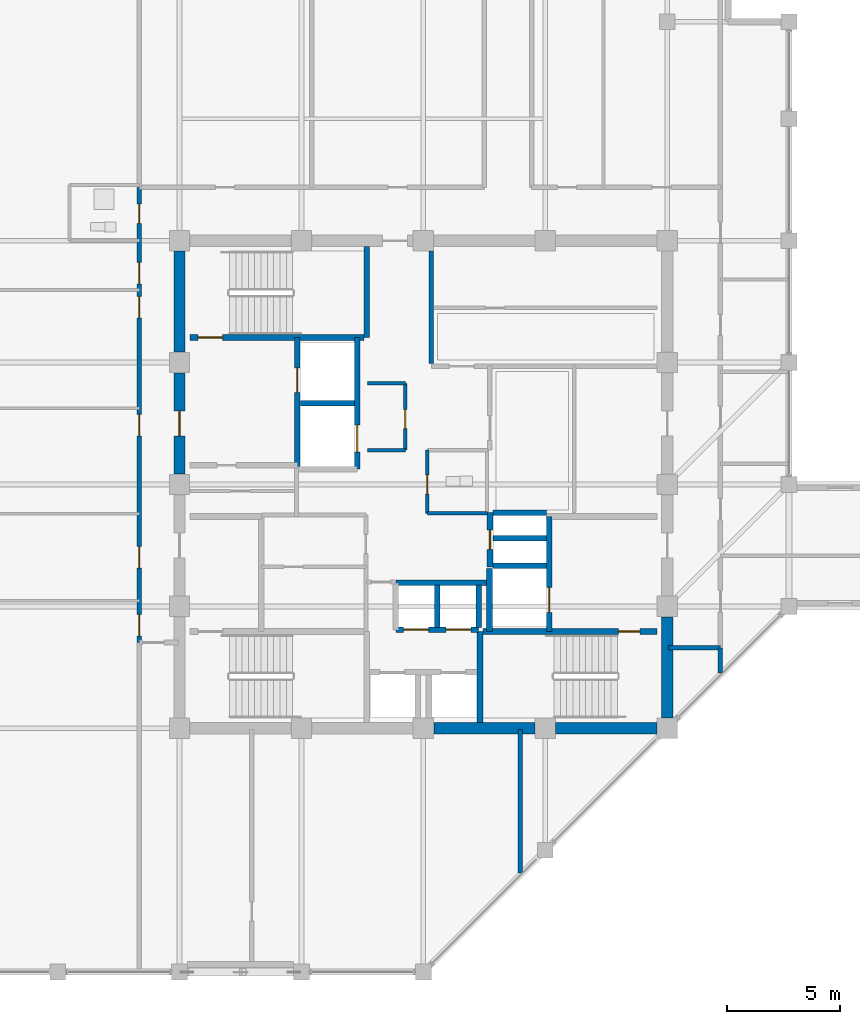
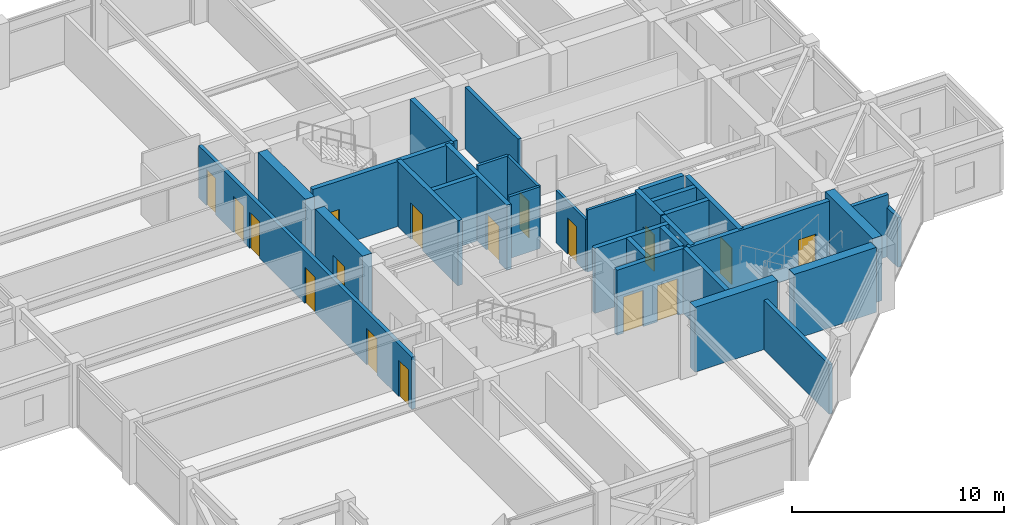
# One storey, part 26 of 31: 32 walls, 17 doors, 17 openings.
"""IFC4 building model written with IfcOpenShell, lengths in metres."""

from ifc_helpers import new_model, si_unit, direction, frame, frame_2d, origin, place, context, subcontext, project, spatial, rectangle, extrude, material, layer, layer_set, type_object, element, fill, save


model = new_model("IFC4")

# Units and contexts
model_context = context("Model", 3, precision=1e-05, world=origin(), true_north=direction((0.0, 1.0)))
body_context = subcontext(model_context, "Body", "Model", "MODEL_VIEW")
ifc_project = project(units=[si_unit("LENGTHUNIT", "METRE"), si_unit("AREAUNIT", "SQUARE_METRE"), si_unit("VOLUMEUNIT", "CUBIC_METRE"), si_unit("PLANEANGLEUNIT", "RADIAN"), si_unit("MASSUNIT", "GRAM", prefix="KILO")], contexts=[model_context])

# Site, building, storey
site_placement = place(None, origin())
site = spatial("IfcSite", under=ifc_project, at=site_placement, CompositionType="ELEMENT")
building_placement = place(site_placement, origin())
building = spatial("IfcBuilding", under=site, at=building_placement, Name="Surkhivell Harbour Commons", CompositionType="ELEMENT")
storey_placement = place(building_placement, frame((0.0, 0.0, 318.75)))
storey = spatial("IfcBuildingStorey", under=building, at=storey_placement, Name="L83", CompositionType="ELEMENT", Elevation=318.75)

# Walls
ifc_material_1 = material(Name="Concrete C50/60", Category="concrete")
ifc_layer_1 = layer(ifc_material_1, 0.5)
ifc_layer_set_1 = layer_set([ifc_layer_1], Name="Concrete C50/60")
wall_type_1 = type_object("IfcWallType", Name="WAL-CORE-500", PredefinedType="SHEAR", material=ifc_layer_set_1)
for number, where, z_axis, x_axis, name in (
    (1, (10.800048828125, -10.340087890625, 0.0), (0.0, 0.0, 1.0), (0.0, 1.0, 0.0), "L83 Core Shear Wall East 1"),
    (2, (0.4599609375, -10.800048828125, 0.0), (0.0, 0.0, 1.0), (1.0, 0.0, 0.0), "L83 Core Shear Wall South 3"),
):
    element("IfcWall", number, at=place(storey_placement, frame(where, z_axis=z_axis, x_axis=x_axis)), inside=storey, type_object=wall_type_1, Name=name, PredefinedType="SHEAR", context=body_context, shape_type="SweptSolid", body=[
        extrude(rectangle(XDim=4.47998046875, YDim=0.5, at=frame_2d((2.239990234375, 0.0))), origin(), (0.0, 0.0, 1.0), 3.75),
    ])

# Wall, opening, door
wall_1_placement = place(storey_placement, frame((-10.800048828125, 0.4599609375, 0.0), z_axis=(0.0, 0.0, 1.0), x_axis=(0.0, 1.0, 0.0)))
wall_1 = element("IfcWall", 3, at=wall_1_placement, inside=storey, type_object=wall_type_1, Name="L83 Core Shear Wall West 3", PredefinedType="SHEAR", context=body_context, shape_type="SweptSolid", body=[
    extrude(rectangle(XDim=4.47998046875, YDim=0.5, at=frame_2d((2.239990234375, 0.0))), origin(), (0.0, 0.0, 1.0), 3.75),
])
opening_1_placement = place(wall_1_placement, frame((1.68994140625, 0.0, 0.0)))
opening_1 = element("IfcOpeningElement", 4, at=opening_1_placement, cuts=wall_1, Name="Opening ID-1", PredefinedType="OPENING", context=body_context, shape_type="SweptSolid", body=[
    extrude(rectangle(XDim=1.10009765625, YDim=2.10009765625, at=frame_2d((0.550048828125, 1.050048828125))), frame((0.0, 0.260009765625, 0.0), z_axis=(0.0, -1.0, 0.0), x_axis=(1.0, 0.0, 0.0)), (0.0, 0.0, 1.0), 0.52001953125),
])
ifc_material_2 = material(Name="Hardwood-veneered fire-rated door leaf", Category="wood")
door_type_1 = type_object("IfcDoorType", Name="DOR-FD120-1100", OperationType="NOTDEFINED", PredefinedType="DOOR", material=ifc_material_2)
door_1_placement = place(opening_1_placement, origin())
door_1 = element("IfcDoor", 5, at=door_1_placement, inside=storey, type_object=door_type_1, Name="L83 Firefighting Lobby 1 Corridor Door", OperationType="SINGLE_SWING_LEFT", OverallHeight=2.10009765625, OverallWidth=1.10009765625, PredefinedType="DOOR", context=body_context, shape_type="SweptSolid", body=[
    extrude(rectangle(XDim=1.10009765625, YDim=2.10009765625, at=frame_2d((0.550048828125, 1.050048828125))), frame((0.0, 0.02490234375, 0.0), z_axis=(0.0, -1.0, 0.0), x_axis=(1.0, 0.0, 0.0)), (0.0, 0.0, 1.0), 0.050048828125),
])
fill(opening_1, door_1)

# Walls
for number, where, z_axis, x_axis, name in (
    (6, (5.860107421875, -10.800048828125, 0.0), (0.0, 0.0, 1.0), (1.0, 0.0, 0.0), "L83 Core Shear Wall South 4"),
    (7, (-10.800048828125, 5.860107421875, 0.0), (0.0, 0.0, 1.0), (0.0, 1.0, 0.0), "L83 Core Shear Wall West 4"),
):
    element("IfcWall", number, at=place(storey_placement, frame(where, z_axis=z_axis, x_axis=x_axis)), inside=storey, type_object=wall_type_1, Name=name, PredefinedType="SHEAR", context=body_context, shape_type="SweptSolid", body=[
        extrude(rectangle(XDim=4.47998046875, YDim=0.5, at=frame_2d((2.239990234375, 0.0))), origin(), (0.0, 0.0, 1.0), 3.75),
    ])
ifc_material_3 = material(Name="Twin-stud acoustic fireboard partition", Category="other")
ifc_layer_2 = layer(ifc_material_3, 0.14990234375)
ifc_layer_set_2 = layer_set([ifc_layer_2], Name="Twin-stud acoustic fireboard partition")
wall_type_2 = type_object("IfcWallType", Name="WAL-INT-150", PredefinedType="PARTITIONING", material=ifc_layer_set_2)
wall_2_placement = place(storey_placement, frame((0.179931640625, -1.280029296875, 0.0), z_axis=(0.0, 0.0, 1.0), x_axis=(1.0, 0.0, 0.0)))
element("IfcWall", 8, at=wall_2_placement, inside=storey, type_object=wall_type_2, Name="L83 Core WC South Wall", PredefinedType="PARTITIONING", context=body_context, shape_type="SweptSolid", body=[
    extrude(rectangle(XDim=2.670166015625, YDim=0.14990234375, at=frame_2d((1.3349609375, 0.0))), origin(), (0.0, 0.0, 1.0), 3.570068359375),
])

# Wall, opening, door
wall_3_placement = place(storey_placement, frame((0.179931640625, -1.280029296875, 0.0), z_axis=(0.0, 0.0, 1.0), x_axis=(0.0, 1.0, 0.0)))
wall_3 = element("IfcWall", 9, at=wall_3_placement, inside=storey, type_object=wall_type_2, Name="L83 Core Accessible WC West Wall", PredefinedType="PARTITIONING", context=body_context, shape_type="SweptSolid", body=[
    extrude(rectangle(XDim=2.800048828125, YDim=0.14990234375, at=frame_2d((1.39990234375, 0.0))), origin(), (0.0, 0.0, 1.0), 3.012939453125),
])
opening_2_placement = place(wall_3_placement, frame((0.85009765625, 0.0, 0.0)))
opening_2 = element("IfcOpeningElement", 10, at=opening_2_placement, cuts=wall_3, Name="Opening ID-6", PredefinedType="OPENING", context=body_context, shape_type="SweptSolid", body=[
    extrude(rectangle(XDim=0.85009765625, YDim=2.10009765625, at=frame_2d((0.425048828125, 1.050048828125))), frame((0.0, 0.0849609375, 0.0), z_axis=(0.0, -1.0, 0.0), x_axis=(1.0, 0.0, 0.0)), (0.0, 0.0, 1.0), 0.169921875),
])
door_type_2 = type_object("IfcDoorType", Name="DOR-FD30-850", OperationType="NOTDEFINED", PredefinedType="DOOR", material=ifc_material_2)
door_2_placement = place(opening_2_placement, origin())
door_2 = element("IfcDoor", 11, at=door_2_placement, inside=storey, type_object=door_type_2, Name="L83 Floor Accessible WC Door", OperationType="SINGLE_SWING_RIGHT", OverallHeight=2.10009765625, OverallWidth=0.85009765625, PredefinedType="DOOR", context=body_context, shape_type="SweptSolid", body=[
    extrude(rectangle(XDim=0.85009765625, YDim=2.10009765625, at=frame_2d((0.425048828125, 1.050048828125))), frame((0.0, 0.02490234375, 0.0), z_axis=(0.0, -1.0, 0.0), x_axis=(1.0, 0.0, 0.0)), (0.0, 0.0, 1.0), 0.050048828125),
])
fill(opening_2, door_2)

wall_4_placement = place(storey_placement, frame((-0.800048828125, 1.52001953125, 0.0), z_axis=(0.0, 0.0, 1.0), x_axis=(0.0, 1.0, 0.0)))
wall_4 = element("IfcWall", 12, at=wall_4_placement, inside=storey, type_object=wall_type_2, Name="L83 Core Seminar East Wall", PredefinedType="PARTITIONING", context=body_context, shape_type="SweptSolid", body=[
    extrude(rectangle(XDim=2.9599609375, YDim=0.14990234375, at=frame_2d((1.47998046875, 0.0))), origin(), (0.0, 0.0, 1.0), 3.570068359375),
])
opening_3_placement = place(wall_4_placement, frame((0.949951171875, 0.0, 0.0)))
opening_3 = element("IfcOpeningElement", 13, at=opening_3_placement, cuts=wall_4, Name="Opening ID-6", PredefinedType="OPENING", context=body_context, shape_type="SweptSolid", body=[
    extrude(rectangle(XDim=0.85009765625, YDim=2.10009765625, at=frame_2d((0.425048828125, 1.050048828125))), frame((0.0, 0.0849609375, 0.0), z_axis=(0.0, -1.0, 0.0), x_axis=(1.0, 0.0, 0.0)), (0.0, 0.0, 1.0), 0.169921875),
])
door_3_placement = place(opening_3_placement, origin())
door_3 = element("IfcDoor", 14, at=door_3_placement, inside=storey, type_object=door_type_2, Name="L83 Central Seminar Door", OperationType="SINGLE_SWING_LEFT", OverallHeight=2.10009765625, OverallWidth=0.85009765625, PredefinedType="DOOR", context=body_context, shape_type="SweptSolid", body=[
    extrude(rectangle(XDim=0.85009765625, YDim=2.10009765625, at=frame_2d((0.425048828125, 1.050048828125))), frame((0.0, 0.02490234375, 0.0), z_axis=(0.0, -1.0, 0.0), x_axis=(1.0, 0.0, 0.0)), (0.0, 0.0, 1.0), 0.050048828125),
])
fill(opening_3, door_3)

# Walls
for number, where, z_axis, x_axis, name in (
    (15, (-2.47998046875, 4.47998046875, 0.0), (0.0, 0.0, 1.0), (1.0, 0.0, 0.0), "L83 Core Seminar North Wall"),
    (16, (-2.47998046875, 1.52001953125, 0.0), (0.0, 0.0, 1.0), (1.0, 0.0, 0.0), "L83 Core Seminar South Wall"),
):
    element("IfcWall", number, at=place(storey_placement, frame(where, z_axis=z_axis, x_axis=x_axis)), inside=storey, type_object=wall_type_2, Name=name, PredefinedType="PARTITIONING", context=body_context, shape_type="SweptSolid", body=[
        extrude(rectangle(XDim=1.679931640625, YDim=0.14990234375, at=frame_2d((0.83984375, 0.0))), origin(), (0.0, 0.0, 1.0), 3.570068359375),
    ])
ifc_material_4 = material(Name="Autoclaved aerated concrete blockwork and fire plaster", Category="masonry")
ifc_layer_3 = layer(ifc_material_4, 0.199951171875)
ifc_layer_set_3 = layer_set([ifc_layer_3], Name="Autoclaved aerated concrete blockwork and fire plaster")
wall_type_3 = type_object("IfcWallType", Name="WAL-INT-200", PredefinedType="PARTITIONING", material=ifc_layer_set_3)
wall_5_placement = place(storey_placement, frame((0.35009765625, 5.360107421875, 0.0), z_axis=(0.0, 0.0, 1.0), x_axis=(0.0, 1.0, 0.0)))
element("IfcWall", 17, at=wall_5_placement, inside=storey, type_object=wall_type_3, Name="L83 Reclaimed Core North Bay West Wall", PredefinedType="PARTITIONING", context=body_context, shape_type="SweptSolid", body=[
    extrude(rectangle(XDim=4.97998046875, YDim=0.199951171875, at=frame_2d((2.489990234375, 0.0))), origin(), (0.0, 0.0, 1.0), 3.570068359375),
])
wall_6_placement = place(storey_placement, frame((13.159912109375, -8.355224609375, 0.0), z_axis=(0.0, 0.0, 1.0), x_axis=(0.0, 1.0, 0.0)))
element("IfcWall", 18, at=wall_6_placement, inside=storey, type_object=wall_type_3, Name="L83 East Wing South Closure Wall", PredefinedType="PARTITIONING", context=body_context, shape_type="SweptSolid", body=[
    extrude(rectangle(XDim=1.115234375, YDim=0.199951171875, at=frame_2d((0.5576171875, 0.0))), origin(), (0.0, 0.0, 1.0), 2.85693359375),
])
wall_7_placement = place(storey_placement, frame((10.85009765625, -7.239990234375, 0.0), z_axis=(0.0, 0.0, 1.0), x_axis=(1.0, 0.0, 0.0)))
element("IfcWall", 19, at=wall_7_placement, inside=storey, type_object=wall_type_3, Name="L83 East Corridor South Closure Wall", PredefinedType="PARTITIONING", context=body_context, shape_type="SweptSolid", body=[
    extrude(rectangle(XDim=2.309814453125, YDim=0.199951171875, at=frame_2d((1.15478515625, 0.0))), origin(), (0.0, 0.0, 1.0), 3.570068359375),
])
wall_8_placement = place(storey_placement, frame((4.300048828125, -17.215087890625, 0.0), z_axis=(0.0, 0.0, 1.0), x_axis=(0.0, 1.0, 0.0)))
element("IfcWall", 20, at=wall_8_placement, inside=storey, type_object=wall_type_3, Name="L83 South Hall East Wall", PredefinedType="PARTITIONING", context=body_context, shape_type="SweptSolid", body=[
    extrude(rectangle(XDim=6.364990234375, YDim=0.199951171875, at=frame_2d((3.1826171875, 0.0))), origin(), (0.0, 0.0, 1.0), 2.85693359375),
])

# Wall, openings, doors
wall_9_placement = place(storey_placement, frame((-12.580078125, -7.0, 0.0), z_axis=(0.0, 0.0, 1.0), x_axis=(0.0, 1.0, 0.0)))
wall_9 = element("IfcWall", 21, at=wall_9_placement, inside=storey, type_object=wall_type_3, Name="L83 West Corridor Wall", PredefinedType="PARTITIONING", context=body_context, shape_type="SweptSolid", body=[
    extrude(rectangle(XDim=20.159912109375, YDim=0.199951171875, at=frame_2d((10.080078125, 0.0))), origin(), (0.0, 0.0, 1.0), 3.012939453125),
])
opening_4_placement = place(wall_9_placement, frame((0.280029296875, 0.0, 0.0)))
opening_4 = element("IfcOpeningElement", 22, at=opening_4_placement, cuts=wall_9, Name="Opening ID-4", PredefinedType="OPENING", context=body_context, shape_type="SweptSolid", body=[
    extrude(rectangle(XDim=0.949951171875, YDim=2.10009765625, at=frame_2d((0.47509765625, 1.050048828125))), frame((0.0, 0.10986328125, 0.0), z_axis=(0.0, -1.0, 0.0), x_axis=(1.0, 0.0, 0.0)), (0.0, 0.0, 1.0), 0.219970703125),
])
opening_5_placement = place(wall_9_placement, frame((18.56494140625, 0.0, 0.0)))
opening_5 = element("IfcOpeningElement", 23, at=opening_5_placement, cuts=wall_9, Name="Opening ID-6", PredefinedType="OPENING", context=body_context, shape_type="SweptSolid", body=[
    extrude(rectangle(XDim=0.85009765625, YDim=2.10009765625, at=frame_2d((0.425048828125, 1.050048828125))), frame((0.0, 0.10986328125, 0.0), z_axis=(0.0, -1.0, 0.0), x_axis=(1.0, 0.0, 0.0)), (0.0, 0.0, 1.0), 0.219970703125),
])
opening_6_placement = place(wall_9_placement, frame((15.889892578125, 0.0, 0.0)))
opening_6 = element("IfcOpeningElement", 24, at=opening_6_placement, cuts=wall_9, Name="Opening ID-4", PredefinedType="OPENING", context=body_context, shape_type="SweptSolid", body=[
    extrude(rectangle(XDim=0.949951171875, YDim=2.10009765625, at=frame_2d((0.47509765625, 1.050048828125))), frame((0.0, 0.10986328125, 0.0), z_axis=(0.0, -1.0, 0.0), x_axis=(1.0, 0.0, 0.0)), (0.0, 0.0, 1.0), 0.219970703125),
])
opening_7_placement = place(wall_9_placement, frame((3.294921875, 0.0, 0.0)))
opening_7 = element("IfcOpeningElement", 25, at=opening_7_placement, cuts=wall_9, Name="Opening ID-4", PredefinedType="OPENING", context=body_context, shape_type="SweptSolid", body=[
    extrude(rectangle(XDim=0.949951171875, YDim=2.10009765625, at=frame_2d((0.47509765625, 1.050048828125))), frame((0.0, 0.10986328125, 0.0), z_axis=(0.0, -1.0, 0.0), x_axis=(1.0, 0.0, 0.0)), (0.0, 0.0, 1.0), 0.219970703125),
])
opening_8_placement = place(wall_9_placement, frame((9.14990234375, 0.0, 0.0)))
opening_8 = element("IfcOpeningElement", 26, at=opening_8_placement, cuts=wall_9, Name="Opening ID-4", PredefinedType="OPENING", context=body_context, shape_type="SweptSolid", body=[
    extrude(rectangle(XDim=0.949951171875, YDim=2.10009765625, at=frame_2d((0.47509765625, 1.050048828125))), frame((0.0, 0.10986328125, 0.0), z_axis=(0.0, -1.0, 0.0), x_axis=(1.0, 0.0, 0.0)), (0.0, 0.0, 1.0), 0.219970703125),
])
opening_9_placement = place(wall_9_placement, frame((14.3798828125, 0.0, 0.0)))
opening_9 = element("IfcOpeningElement", 27, at=opening_9_placement, cuts=wall_9, Name="Opening ID-4", PredefinedType="OPENING", context=body_context, shape_type="SweptSolid", body=[
    extrude(rectangle(XDim=0.949951171875, YDim=2.10009765625, at=frame_2d((0.47509765625, 1.050048828125))), frame((0.0, 0.10986328125, 0.0), z_axis=(0.0, -1.0, 0.0), x_axis=(1.0, 0.0, 0.0)), (0.0, 0.0, 1.0), 0.219970703125),
])
door_4_placement = place(opening_5_placement, origin())
door_4 = element("IfcDoor", 28, at=door_4_placement, inside=storey, type_object=door_type_2, Name="L83 Communal Shower Bathroom West Door", OperationType="SINGLE_SWING_LEFT", OverallHeight=2.10009765625, OverallWidth=0.85009765625, PredefinedType="DOOR", context=body_context, shape_type="SweptSolid", body=[
    extrude(rectangle(XDim=0.85009765625, YDim=2.10009765625, at=frame_2d((0.425048828125, 1.050048828125))), frame((0.0, 0.02490234375, 0.0), z_axis=(0.0, -1.0, 0.0), x_axis=(1.0, 0.0, 0.0)), (0.0, 0.0, 1.0), 0.050048828125),
])
fill(opening_5, door_4)
door_type_3 = type_object("IfcDoorType", Name="DOR-FD60-950", OperationType="NOTDEFINED", PredefinedType="DOOR", material=ifc_material_2)
door_5_placement = place(opening_4_placement, origin())
door_5 = element("IfcDoor", 29, at=door_5_placement, inside=storey, type_object=door_type_3, Name="L83 Shared Communal Kitchen West Door", OperationType="SINGLE_SWING_RIGHT", OverallHeight=2.10009765625, OverallWidth=0.949951171875, PredefinedType="DOOR", context=body_context, shape_type="SweptSolid", body=[
    extrude(rectangle(XDim=0.949951171875, YDim=2.10009765625, at=frame_2d((0.47509765625, 1.050048828125))), frame((0.0, 0.02490234375, 0.0), z_axis=(0.0, -1.0, 0.0), x_axis=(1.0, 0.0, 0.0)), (0.0, 0.0, 1.0), 0.050048828125),
])
fill(opening_4, door_5)
door_6_placement = place(opening_6_placement, origin())
door_6 = element("IfcDoor", 30, at=door_6_placement, inside=storey, type_object=door_type_3, Name="L83 Academic Reading Commons West Door", OperationType="SINGLE_SWING_RIGHT", OverallHeight=2.10009765625, OverallWidth=0.949951171875, PredefinedType="DOOR", context=body_context, shape_type="SweptSolid", body=[
    extrude(rectangle(XDim=0.949951171875, YDim=2.10009765625, at=frame_2d((0.47509765625, 1.050048828125))), frame((0.0, 0.02490234375, 0.0), z_axis=(0.0, -1.0, 0.0), x_axis=(1.0, 0.0, 0.0)), (0.0, 0.0, 1.0), 0.050048828125),
])
fill(opening_6, door_6)
door_7_placement = place(opening_7_placement, origin())
door_7 = element("IfcDoor", 31, at=door_7_placement, inside=storey, type_object=door_type_3, Name="L83 Hostel Cluster Bedroom 1 West Door", OperationType="SINGLE_SWING_LEFT", OverallHeight=2.10009765625, OverallWidth=0.949951171875, PredefinedType="DOOR", context=body_context, shape_type="SweptSolid", body=[
    extrude(rectangle(XDim=0.949951171875, YDim=2.10009765625, at=frame_2d((0.47509765625, 1.050048828125))), frame((0.0, 0.02490234375, 0.0), z_axis=(0.0, -1.0, 0.0), x_axis=(1.0, 0.0, 0.0)), (0.0, 0.0, 1.0), 0.050048828125),
])
fill(opening_7, door_7)
door_8_placement = place(opening_8_placement, origin())
door_8 = element("IfcDoor", 32, at=door_8_placement, inside=storey, type_object=door_type_3, Name="L83 Co-Living Dormitory Bedroom 2 West Door", OperationType="SINGLE_SWING_RIGHT", OverallHeight=2.10009765625, OverallWidth=0.949951171875, PredefinedType="DOOR", context=body_context, shape_type="SweptSolid", body=[
    extrude(rectangle(XDim=0.949951171875, YDim=2.10009765625, at=frame_2d((0.47509765625, 1.050048828125))), frame((0.0, 0.02490234375, 0.0), z_axis=(0.0, -1.0, 0.0), x_axis=(1.0, 0.0, 0.0)), (0.0, 0.0, 1.0), 0.050048828125),
])
fill(opening_8, door_8)
door_9_placement = place(opening_9_placement, origin())
door_9 = element("IfcDoor", 33, at=door_9_placement, inside=storey, type_object=door_type_3, Name="L83 Hostel Cluster Bedroom 3 West Door", OperationType="SINGLE_SWING_LEFT", OverallHeight=2.10009765625, OverallWidth=0.949951171875, PredefinedType="DOOR", context=body_context, shape_type="SweptSolid", body=[
    extrude(rectangle(XDim=0.949951171875, YDim=2.10009765625, at=frame_2d((0.47509765625, 1.050048828125))), frame((0.0, 0.02490234375, 0.0), z_axis=(0.0, -1.0, 0.0), x_axis=(1.0, 0.0, 0.0)), (0.0, 0.0, 1.0), 0.050048828125),
])
fill(opening_9, door_9)

# Wall, opening, door
ifc_layer_4 = layer(ifc_material_1, 0.25)
ifc_layer_set_4 = layer_set([ifc_layer_4], Name="Concrete C50/60")
wall_type_4 = type_object("IfcWallType", Name="WAL-SHAFT-250", PredefinedType="SHEAR", material=ifc_layer_set_4)
wall_10_placement = place(storey_placement, frame((-5.580078125, 0.719970703125, 0.0), z_axis=(0.0, 0.0, 1.0), x_axis=(0.0, 1.0, 0.0)))
wall_10 = element("IfcWall", 34, at=wall_10_placement, inside=storey, type_object=wall_type_4, Name="L83 Firefighting Lobby 1 East Shaft Wall", PredefinedType="SHEAR", context=body_context, shape_type="SweptSolid", body=[
    extrude(rectangle(XDim=5.7900390625, YDim=0.25, at=frame_2d((2.89501953125, 0.0))), origin(), (0.0, 0.0, 1.0), 3.75),
])
opening_10_placement = place(wall_10_placement, frame((3.35009765625, 0.0, 0.0)))
opening_10 = element("IfcOpeningElement", 35, at=opening_10_placement, cuts=wall_10, Name="Opening LD-1", PredefinedType="OPENING", context=body_context, shape_type="SweptSolid", body=[
    extrude(rectangle(XDim=1.10009765625, YDim=2.10009765625, at=frame_2d((0.550048828125, 1.050048828125))), frame((0.0, 0.135009765625, 0.0), z_axis=(0.0, -1.0, 0.0), x_axis=(1.0, 0.0, 0.0)), (0.0, 0.0, 1.0), 0.27001953125),
])
ifc_material_5 = material(Name="Brushed stainless steel S355", Category="steel")
door_type_4 = type_object("IfcDoorType", Name="DOR-LD-1100", OperationType="SLIDING_TO_LEFT", PredefinedType="DOOR", material=ifc_material_5)
door_10_placement = place(opening_10_placement, origin())
door_10 = element("IfcDoor", 36, at=door_10_placement, inside=storey, type_object=door_type_4, Name="L83 Lift Landing Door LD-FFL1", OperationType="SLIDING_TO_LEFT", OverallHeight=2.10009765625, OverallWidth=1.10009765625, PredefinedType="DOOR", context=body_context, shape_type="SweptSolid", body=[
    extrude(rectangle(XDim=1.10009765625, YDim=2.10009765625, at=frame_2d((0.550048828125, 1.050048828125))), frame((0.0, 0.02490234375, 0.0), z_axis=(0.0, -1.0, 0.0), x_axis=(1.0, 0.0, 0.0)), (0.0, 0.0, 1.0), 0.050048828125),
])
fill(opening_10, door_10)

# Walls
wall_11_placement = place(storey_placement, frame((2.929931640625, -6.510009765625, 0.0), z_axis=(0.0, 0.0, 1.0), x_axis=(0.0, 1.0, 0.0)))
element("IfcWall", 37, at=wall_11_placement, inside=storey, type_object=wall_type_4, Name="L83 FFL2 West Shaft Wall", PredefinedType="SHEAR", context=body_context, shape_type="SweptSolid", body=[
    extrude(rectangle(XDim=2.7900390625, YDim=0.25, at=frame_2d((1.39501953125, 0.0))), origin(), (0.0, 0.0, 1.0), 3.75),
])
wall_12_placement = place(storey_placement, frame((3.080078125, -3.60009765625, 0.0), z_axis=(0.0, 0.0, 1.0), x_axis=(1.0, 0.0, 0.0)))
element("IfcWall", 38, at=wall_12_placement, inside=storey, type_object=wall_type_4, Name="L83 FFL2 North Shaft Wall", PredefinedType="SHEAR", context=body_context, shape_type="SweptSolid", body=[
    extrude(rectangle(XDim=2.369873046875, YDim=0.25, at=frame_2d((1.18505859375, 0.0))), origin(), (0.0, 0.0, 1.0), 3.75),
])

# Wall, opening, door
wall_13_placement = place(storey_placement, frame((5.580078125, -6.510009765625, 0.0), z_axis=(0.0, 0.0, 1.0), x_axis=(0.0, 1.0, 0.0)))
wall_13 = element("IfcWall", 39, at=wall_13_placement, inside=storey, type_object=wall_type_4, Name="L83 Firefighting Lobby 2 West Shaft Wall", PredefinedType="SHEAR", context=body_context, shape_type="SweptSolid", body=[
    extrude(rectangle(XDim=5.090087890625, YDim=0.25, at=frame_2d((2.544921875, 0.0))), origin(), (0.0, 0.0, 1.0), 3.75),
])
opening_11_placement = place(wall_13_placement, frame((0.85009765625, 0.0, 0.0)))
opening_11 = element("IfcOpeningElement", 40, at=opening_11_placement, cuts=wall_13, Name="Opening LD-1", PredefinedType="OPENING", context=body_context, shape_type="SweptSolid", body=[
    extrude(rectangle(XDim=1.10009765625, YDim=2.10009765625, at=frame_2d((0.550048828125, 1.050048828125))), frame((0.0, 0.135009765625, 0.0), z_axis=(0.0, -1.0, 0.0), x_axis=(1.0, 0.0, 0.0)), (0.0, 0.0, 1.0), 0.27001953125),
])
door_11_placement = place(opening_11_placement, origin())
door_11 = element("IfcDoor", 41, at=door_11_placement, inside=storey, type_object=door_type_4, Name="L83 Lift Landing Door LD-FFL2", OperationType="SLIDING_TO_RIGHT", OverallHeight=2.10009765625, OverallWidth=1.10009765625, PredefinedType="DOOR", context=body_context, shape_type="SweptSolid", body=[
    extrude(rectangle(XDim=1.10009765625, YDim=2.10009765625, at=frame_2d((0.550048828125, 1.050048828125))), frame((0.0, 0.02490234375, 0.0), z_axis=(0.0, -1.0, 0.0), x_axis=(1.0, 0.0, 0.0)), (0.0, 0.0, 1.0), 0.050048828125),
])
fill(opening_11, door_11)

# Walls
for number, where, z_axis, x_axis, name in (
    (42, (0.6201171875, -6.340087890625, 0.0), (0.0, 0.0, 1.0), (0.0, 1.0, 0.0), "L83 High-Rise Side Wall N"),
    (43, (2.449951171875, -6.340087890625, 0.0), (0.0, 0.0, 1.0), (0.0, 1.0, 0.0), "L83 High-Rise Side Wall N"),
):
    element("IfcWall", number, at=place(storey_placement, frame(where, z_axis=z_axis, x_axis=x_axis)), inside=storey, type_object=wall_type_4, Name=name, PredefinedType="SHEAR", context=body_context, shape_type="SweptSolid", body=[
        extrude(rectangle(XDim=1.880126953125, YDim=0.25, at=frame_2d((0.93994140625, 0.0))), origin(), (0.0, 0.0, 1.0), 3.75),
    ])

# Wall, openings, doors
wall_14_placement = place(storey_placement, frame((-1.219970703125, -6.43994140625, 0.0), z_axis=(0.0, 0.0, 1.0), x_axis=(1.0, 0.0, 0.0)))
wall_14 = element("IfcWall", 44, at=wall_14_placement, inside=storey, type_object=wall_type_4, Name="L83 High-Rise North Front Shaft Wall", PredefinedType="SHEAR", context=body_context, shape_type="SweptSolid", body=[
    extrude(rectangle(XDim=3.669921875, YDim=0.25, at=frame_2d((1.8349609375, 0.0))), origin(), (0.0, 0.0, 1.0), 3.75),
])
opening_12_placement = place(wall_14_placement, frame((0.35009765625, 0.0, 0.0)))
opening_12 = element("IfcOpeningElement", 45, at=opening_12_placement, cuts=wall_14, Name="Opening LD-1", PredefinedType="OPENING", context=body_context, shape_type="SweptSolid", body=[
    extrude(rectangle(XDim=1.10009765625, YDim=2.10009765625, at=frame_2d((0.550048828125, 1.050048828125))), frame((0.0, 0.135009765625, 0.0), z_axis=(0.0, -1.0, 0.0), x_axis=(1.0, 0.0, 0.0)), (0.0, 0.0, 1.0), 0.27001953125),
])
opening_13_placement = place(wall_14_placement, frame((2.219970703125, 0.0, 0.0)))
opening_13 = element("IfcOpeningElement", 46, at=opening_13_placement, cuts=wall_14, Name="Opening LD-1", PredefinedType="OPENING", context=body_context, shape_type="SweptSolid", body=[
    extrude(rectangle(XDim=1.10009765625, YDim=2.10009765625, at=frame_2d((0.550048828125, 1.050048828125))), frame((0.0, 0.135009765625, 0.0), z_axis=(0.0, -1.0, 0.0), x_axis=(1.0, 0.0, 0.0)), (0.0, 0.0, 1.0), 0.27001953125),
])
door_12_placement = place(opening_12_placement, origin())
door_12 = element("IfcDoor", 47, at=door_12_placement, inside=storey, type_object=door_type_4, Name="L83 Lift Landing Door LD-PH1", OperationType="SLIDING_TO_LEFT", OverallHeight=2.10009765625, OverallWidth=1.10009765625, PredefinedType="DOOR", context=body_context, shape_type="SweptSolid", body=[
    extrude(rectangle(XDim=1.10009765625, YDim=2.10009765625, at=frame_2d((0.550048828125, 1.050048828125))), frame((0.0, 0.02490234375, 0.0), z_axis=(0.0, -1.0, 0.0), x_axis=(1.0, 0.0, 0.0)), (0.0, 0.0, 1.0), 0.050048828125),
])
fill(opening_12, door_12)
door_13_placement = place(opening_13_placement, origin())
door_13 = element("IfcDoor", 48, at=door_13_placement, inside=storey, type_object=door_type_4, Name="L83 Lift Landing Door LD-PH2", OperationType="SLIDING_TO_LEFT", OverallHeight=2.10009765625, OverallWidth=1.10009765625, PredefinedType="DOOR", context=body_context, shape_type="SweptSolid", body=[
    extrude(rectangle(XDim=1.10009765625, YDim=2.10009765625, at=frame_2d((0.550048828125, 1.050048828125))), frame((0.0, 0.02490234375, 0.0), z_axis=(0.0, -1.0, 0.0), x_axis=(1.0, 0.0, 0.0)), (0.0, 0.0, 1.0), 0.050048828125),
])
fill(opening_13, door_13)

# Walls
wall_15_placement = place(storey_placement, frame((-1.219970703125, -4.360107421875, 0.0), z_axis=(0.0, 0.0, 1.0), x_axis=(1.0, 0.0, 0.0)))
element("IfcWall", 49, at=wall_15_placement, inside=storey, type_object=wall_type_4, Name="L83 High-Rise North Back Shaft Wall", PredefinedType="SHEAR", context=body_context, shape_type="SweptSolid", body=[
    extrude(rectangle(XDim=4.030029296875, YDim=0.25, at=frame_2d((2.01513671875, 0.0))), origin(), (0.0, 0.0, 1.0), 3.75),
])
for number, where, z_axis, x_axis, name in (
    (50, (3.080078125, -2.3798828125, 0.0), (0.0, 0.0, 1.0), (1.0, 0.0, 0.0), "L83 Riser Divider Wall"),
    (51, (3.080078125, -1.25, 0.0), (0.0, 0.0, 1.0), (1.0, 0.0, 0.0), "L83 Riser North Wall"),
):
    element("IfcWall", number, at=place(storey_placement, frame(where, z_axis=z_axis, x_axis=x_axis)), inside=storey, type_object=wall_type_4, Name=name, PredefinedType="SHEAR", context=body_context, shape_type="SweptSolid", body=[
        extrude(rectangle(XDim=2.369873046875, YDim=0.25, at=frame_2d((1.18505859375, 0.0))), origin(), (0.0, 0.0, 1.0), 3.75),
    ])

# Wall, opening, door
wall_16_placement = place(storey_placement, frame((2.949951171875, -3.64990234375, 0.0), z_axis=(0.0, 0.0, 1.0), x_axis=(0.0, 1.0, 0.0)))
wall_16 = element("IfcWall", 52, at=wall_16_placement, inside=storey, type_object=wall_type_4, Name="L83 Riser Shaft West Wall", PredefinedType="SHEAR", context=body_context, shape_type="SweptSolid", body=[
    extrude(rectangle(XDim=2.39990234375, YDim=0.25, at=frame_2d((1.199951171875, 0.0))), origin(), (0.0, 0.0, 1.0), 3.75),
])
opening_14_placement = place(wall_16_placement, frame((0.77490234375, 0.0, 0.0)))
opening_14 = element("IfcOpeningElement", 53, at=opening_14_placement, cuts=wall_16, Name="Opening ID-6", PredefinedType="OPENING", context=body_context, shape_type="SweptSolid", body=[
    extrude(rectangle(XDim=0.85009765625, YDim=2.10009765625, at=frame_2d((0.425048828125, 1.050048828125))), frame((0.0, 0.135009765625, 0.0), z_axis=(0.0, -1.0, 0.0), x_axis=(1.0, 0.0, 0.0)), (0.0, 0.0, 1.0), 0.27001953125),
])
door_14_placement = place(opening_14_placement, origin())
door_14 = element("IfcDoor", 54, at=door_14_placement, inside=storey, type_object=door_type_2, Name="L83 Electrical Riser Access Door", OperationType="SINGLE_SWING_LEFT", OverallHeight=2.10009765625, OverallWidth=0.85009765625, PredefinedType="DOOR", context=body_context, shape_type="SweptSolid", body=[
    extrude(rectangle(XDim=0.85009765625, YDim=2.10009765625, at=frame_2d((0.425048828125, 1.050048828125))), frame((0.0, 0.02490234375, 0.0), z_axis=(0.0, -1.0, 0.0), x_axis=(1.0, 0.0, 0.0)), (0.0, 0.0, 1.0), 0.050048828125),
])
fill(opening_14, door_14)

# Wall
wall_17_placement = place(storey_placement, frame((-2.510009765625, 6.510009765625, 0.0), z_axis=(0.0, 0.0, 1.0), x_axis=(0.0, 1.0, 0.0)))
element("IfcWall", 55, at=wall_17_placement, inside=storey, type_object=wall_type_4, Name="L83 Stair ST1 East Shear Wall", PredefinedType="SHEAR", context=body_context, shape_type="SweptSolid", body=[
    extrude(rectangle(XDim=4.0400390625, YDim=0.25, at=frame_2d((2.02001953125, 0.0))), origin(), (0.0, 0.0, 1.0), 3.75),
])

# Wall, opening, door
wall_18_placement = place(storey_placement, frame((-10.340087890625, 6.510009765625, 0.0), z_axis=(0.0, 0.0, 1.0), x_axis=(1.0, 0.0, 0.0)))
wall_18 = element("IfcWall", 56, at=wall_18_placement, inside=storey, type_object=wall_type_4, Name="L83 Stair ST1 South Shear Wall", PredefinedType="SHEAR", context=body_context, shape_type="SweptSolid", body=[
    extrude(rectangle(XDim=7.7001953125, YDim=0.25, at=frame_2d((3.85009765625, 0.0))), origin(), (0.0, 0.0, 1.0), 3.75),
])
opening_15_placement = place(wall_18_placement, frame((0.35009765625, 0.0, 0.0)))
opening_15 = element("IfcOpeningElement", 57, at=opening_15_placement, cuts=wall_18, Name="Opening ID-2", PredefinedType="OPENING", context=body_context, shape_type="SweptSolid", body=[
    extrude(rectangle(XDim=1.10009765625, YDim=2.10009765625, at=frame_2d((0.550048828125, 1.050048828125))), frame((0.0, 0.135009765625, 0.0), z_axis=(0.0, -1.0, 0.0), x_axis=(1.0, 0.0, 0.0)), (0.0, 0.0, 1.0), 0.27001953125),
])
door_type_5 = type_object("IfcDoorType", Name="DOR-FD60-1100", OperationType="NOTDEFINED", PredefinedType="DOOR", material=ifc_material_2)
door_15_placement = place(opening_15_placement, origin())
door_15 = element("IfcDoor", 58, at=door_15_placement, inside=storey, type_object=door_type_5, Name="L83 Stair ST1 Exit Door", OperationType="SINGLE_SWING_LEFT", OverallHeight=2.10009765625, OverallWidth=1.10009765625, PredefinedType="DOOR", context=body_context, shape_type="SweptSolid", body=[
    extrude(rectangle(XDim=1.10009765625, YDim=2.10009765625, at=frame_2d((0.550048828125, 1.050048828125))), frame((0.0, 0.02490234375, 0.0), z_axis=(0.0, -1.0, 0.0), x_axis=(1.0, 0.0, 0.0)), (0.0, 0.0, 1.0), 0.050048828125),
])
fill(opening_15, door_15)

wall_19_placement = place(storey_placement, frame((2.639892578125, -6.510009765625, 0.0), z_axis=(0.0, 0.0, 1.0), x_axis=(1.0, 0.0, 0.0)))
wall_19 = element("IfcWall", 59, at=wall_19_placement, inside=storey, type_object=wall_type_4, Name="L83 Stair ST2 North Shear Wall", PredefinedType="SHEAR", context=body_context, shape_type="SweptSolid", body=[
    extrude(rectangle(XDim=7.7001953125, YDim=0.25, at=frame_2d((3.85009765625, 0.0))), origin(), (0.0, 0.0, 1.0), 3.75),
])
opening_16_placement = place(wall_19_placement, frame((6.0, 0.0, 0.0)))
opening_16 = element("IfcOpeningElement", 60, at=opening_16_placement, cuts=wall_19, Name="Opening ID-4", PredefinedType="OPENING", context=body_context, shape_type="SweptSolid", body=[
    extrude(rectangle(XDim=0.949951171875, YDim=2.10009765625, at=frame_2d((0.47509765625, 1.050048828125))), frame((0.0, 0.135009765625, 0.0), z_axis=(0.0, -1.0, 0.0), x_axis=(1.0, 0.0, 0.0)), (0.0, 0.0, 1.0), 0.27001953125),
])
door_16_placement = place(opening_16_placement, origin())
door_16 = element("IfcDoor", 61, at=door_16_placement, inside=storey, type_object=door_type_3, Name="L83 Stair ST2 Exit Door", OperationType="SINGLE_SWING_RIGHT", OverallHeight=2.10009765625, OverallWidth=0.949951171875, PredefinedType="DOOR", context=body_context, shape_type="SweptSolid", body=[
    extrude(rectangle(XDim=0.949951171875, YDim=2.10009765625, at=frame_2d((0.47509765625, 1.050048828125))), frame((0.0, 0.02490234375, 0.0), z_axis=(0.0, -1.0, 0.0), x_axis=(1.0, 0.0, 0.0)), (0.0, 0.0, 1.0), 0.050048828125),
])
fill(opening_16, door_16)

# Wall
wall_20_placement = place(storey_placement, frame((2.510009765625, -10.550048828125, 0.0), z_axis=(0.0, 0.0, 1.0), x_axis=(0.0, 1.0, 0.0)))
element("IfcWall", 62, at=wall_20_placement, inside=storey, type_object=wall_type_4, Name="L83 Stair ST2 West Shear Wall", PredefinedType="SHEAR", context=body_context, shape_type="SweptSolid", body=[
    extrude(rectangle(XDim=4.0400390625, YDim=0.25, at=frame_2d((2.02001953125, 0.0))), origin(), (0.0, 0.0, 1.0), 3.75),
])

# Wall, opening, door
wall_21_placement = place(storey_placement, frame((-2.929931640625, 0.679931640625, 0.0), z_axis=(0.0, 0.0, 1.0), x_axis=(0.0, 1.0, 0.0)))
wall_21 = element("IfcWall", 63, at=wall_21_placement, inside=storey, type_object=wall_type_4, Name="L83 Service and Fire Lift East Shaft Wall", PredefinedType="SHEAR", context=body_context, shape_type="SweptSolid", body=[
    extrude(rectangle(XDim=5.830078125, YDim=0.25, at=frame_2d((2.9150390625, 0.0))), origin(), (0.0, 0.0, 1.0), 3.75),
])
opening_17_placement = place(wall_21_placement, frame((0.75, 0.0, 0.0)))
opening_17 = element("IfcOpeningElement", 64, at=opening_17_placement, cuts=wall_21, Name="Opening LD-2", PredefinedType="OPENING", context=body_context, shape_type="SweptSolid", body=[
    extrude(rectangle(XDim=1.199951171875, YDim=2.10009765625, at=frame_2d((0.60009765625, 1.050048828125))), frame((0.0, 0.135009765625, 0.0), z_axis=(0.0, -1.0, 0.0), x_axis=(1.0, 0.0, 0.0)), (0.0, 0.0, 1.0), 0.27001953125),
])
door_type_6 = type_object("IfcDoorType", Name="DOR-LD-1200", OperationType="SLIDING_TO_LEFT", PredefinedType="DOOR", material=ifc_material_5)
door_17_placement = place(opening_17_placement, origin())
door_17 = element("IfcDoor", 65, at=door_17_placement, inside=storey, type_object=door_type_6, Name="L83 Lift Landing Door LD-SVL1", OperationType="SLIDING_TO_LEFT", OverallHeight=2.10009765625, OverallWidth=1.199951171875, PredefinedType="DOOR", context=body_context, shape_type="SweptSolid", body=[
    extrude(rectangle(XDim=1.199951171875, YDim=2.10009765625, at=frame_2d((0.60009765625, 1.050048828125))), frame((0.0, 0.02490234375, 0.0), z_axis=(0.0, -1.0, 0.0), x_axis=(1.0, 0.0, 0.0)), (0.0, 0.0, 1.0), 0.050048828125),
])
fill(opening_17, door_17)

# Wall
wall_22_placement = place(storey_placement, frame((-5.449951171875, 3.60009765625, 0.0), z_axis=(0.0, 0.0, 1.0), x_axis=(1.0, 0.0, 0.0)))
element("IfcWall", 66, at=wall_22_placement, inside=storey, type_object=wall_type_4, Name="L83 FFL1/SVL1 Shaft Divider", PredefinedType="SHEAR", context=body_context, shape_type="SweptSolid", body=[
    extrude(rectangle(XDim=2.389892578125, YDim=0.25, at=frame_2d((1.19482421875, 0.0))), origin(), (0.0, 0.0, 1.0), 3.75),
])

save(model, "model.ifc")
